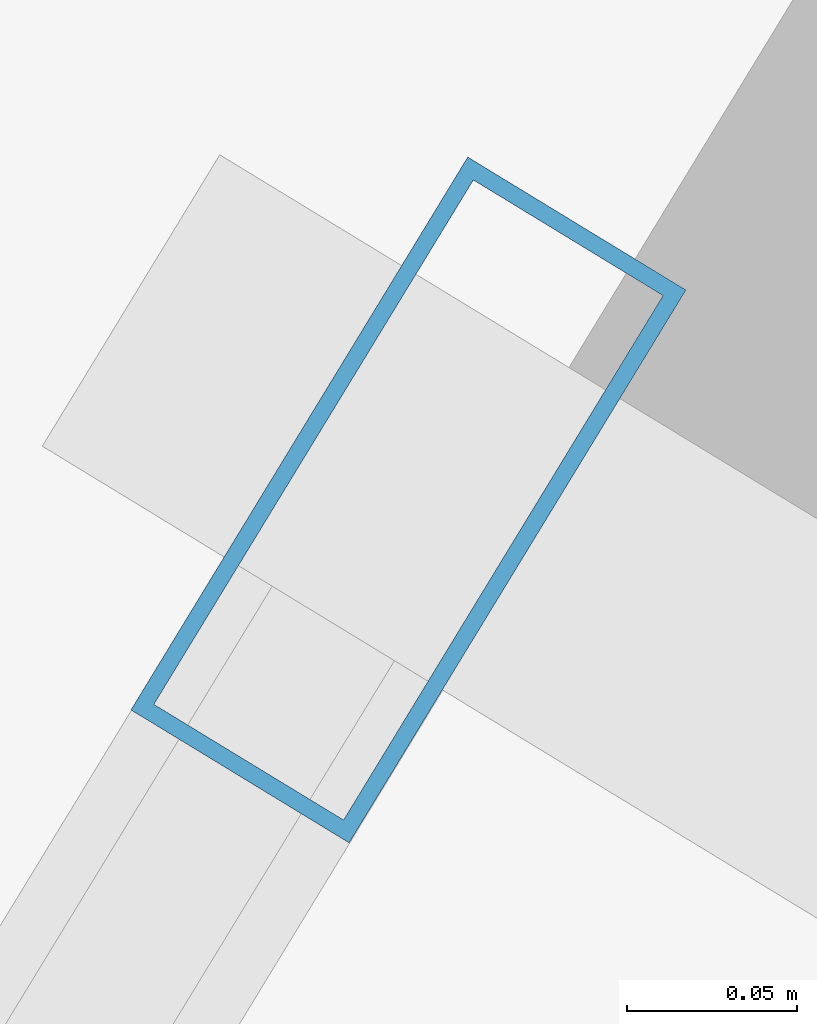
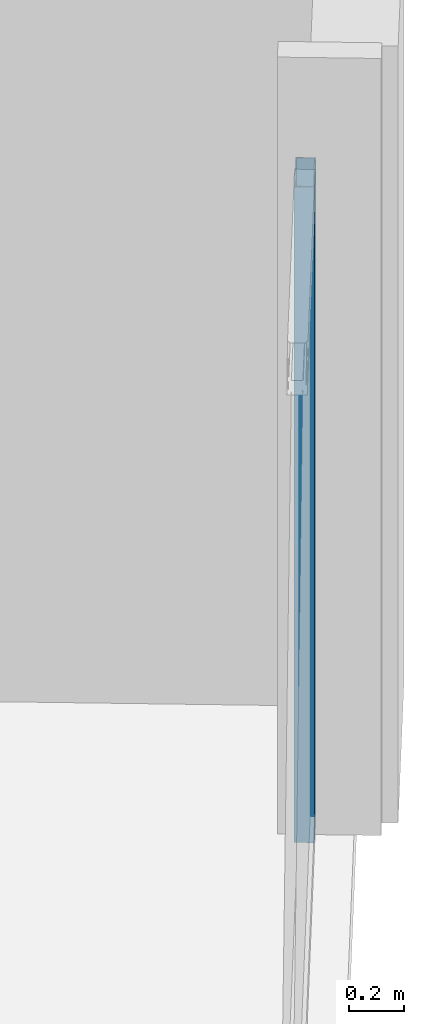
# One storey, part 17 of 28: 1 member, 1 element without a shape of its own.
"""IFC4 building model written with IfcOpenShell, lengths in metres."""

from ifc_helpers import new_model, si_unit, direction, frame, origin, origin_2d, place, context, subcontext, project, spatial, hollow_rectangle, extrude, material, material_profile, profile_set, type_object, element, aggregate, save


model = new_model("IFC4")

# Units and contexts
model_context = context("Model", 3, precision=1e-05, world=origin(), true_north=direction((0.0, 1.0)))
body_context = subcontext(model_context, "Body", "Model", "MODEL_VIEW")
ifc_project = project(units=[si_unit("LENGTHUNIT", "METRE"), si_unit("AREAUNIT", "SQUARE_METRE"), si_unit("VOLUMEUNIT", "CUBIC_METRE"), si_unit("PLANEANGLEUNIT", "RADIAN"), si_unit("MASSUNIT", "GRAM", prefix="KILO")], contexts=[model_context])

# Site, building, storey
site_placement = place(None, origin())
site = spatial("IfcSite", under=ifc_project, at=site_placement, CompositionType="ELEMENT")
building_placement = place(site_placement, origin())
building = spatial("IfcBuilding", under=site, at=building_placement, Name="Haldenkirk Collegiate Tower", CompositionType="ELEMENT")
storey_placement = place(building_placement, frame((0.0, 0.0, 224.699951171875)))
storey = spatial("IfcBuildingStorey", under=building, at=storey_placement, Name="L56", CompositionType="ELEMENT", Elevation=224.699951171875)

# Curtain wall, member
ifc_material = material(Name="Anodised architectural bronze aluminium", Category="aluminium")
curtain_wall_type = type_object("IfcCurtainWallType", Name="CW-SYS2-CONCAVE", PredefinedType="USERDEFINED", material=ifc_material)
curtain_wall_placement = place(storey_placement, origin())
curtain_wall = element("IfcCurtainWall", 1, at=curtain_wall_placement, inside=storey, type_object=curtain_wall_type, Name="L56 South concave recessed bronze-anodised curtain wall", ObjectType="UNITISED CURTAIN WALL", PredefinedType="USERDEFINED")
ifc_material_profile = material_profile(ifc_material, hollow_rectangle(XDim=0.074951171875, YDim=0.18994140625, WallThickness=0.0048828125, at=origin_2d()), Name="CW-MUL-02")
ifc_profile_set = profile_set([ifc_material_profile], Name="Anodised architectural bronze aluminium")
member_type = type_object("IfcMemberType", Name="CW-MUL-02", PredefinedType="MULLION", material=ifc_profile_set)
member_placement = place(storey_placement, frame((65.70947265625, 30.280517578125, 0.0), z_axis=(0.0, 0.0, 1.0), x_axis=(0.854004384454, -0.520265808345, 0.0)))
member = element("IfcMember", 2, at=member_placement, type_object=member_type, Name="CW-02 mullion 1", PredefinedType="MULLION", context=body_context, shape_type="SweptSolid", body=[
    extrude(hollow_rectangle(XDim=0.074951171875, YDim=0.18994140625, WallThickness=0.0048828125, at=origin_2d()), origin(), (0.0, 0.0, 1.0), 2.927978515625),
])
aggregate(curtain_wall, [member])

save(model, "model.ifc")
